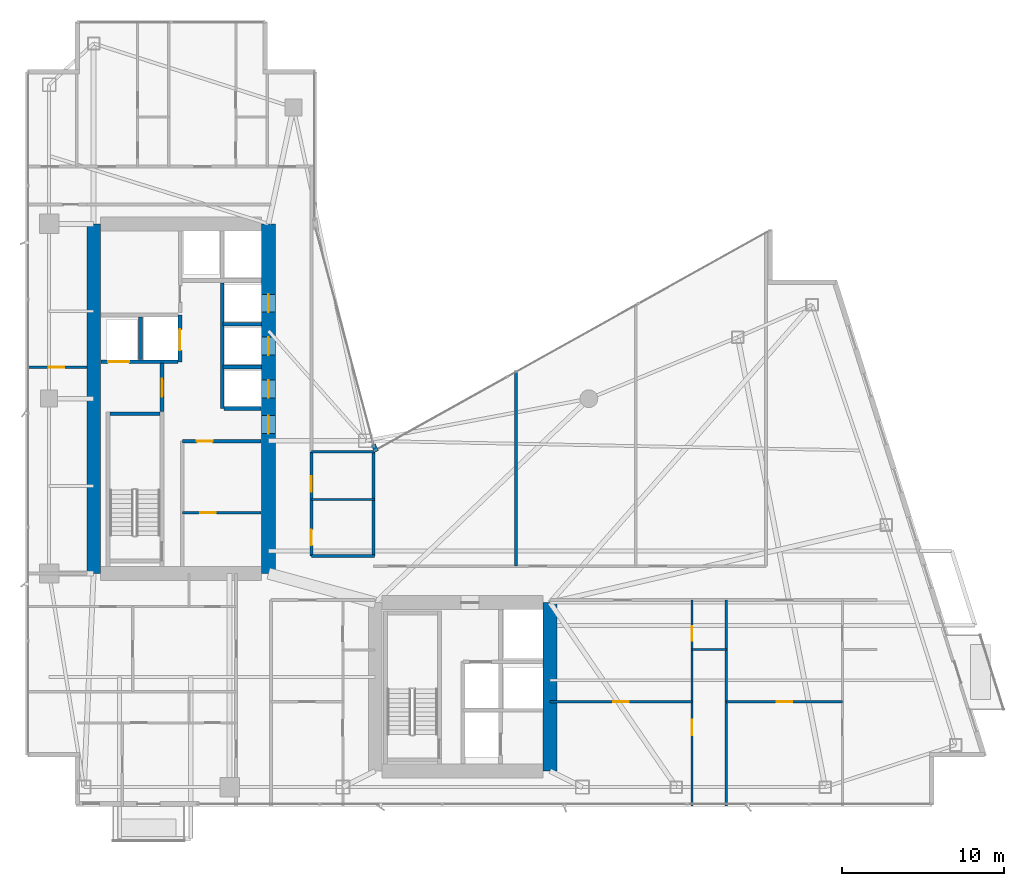
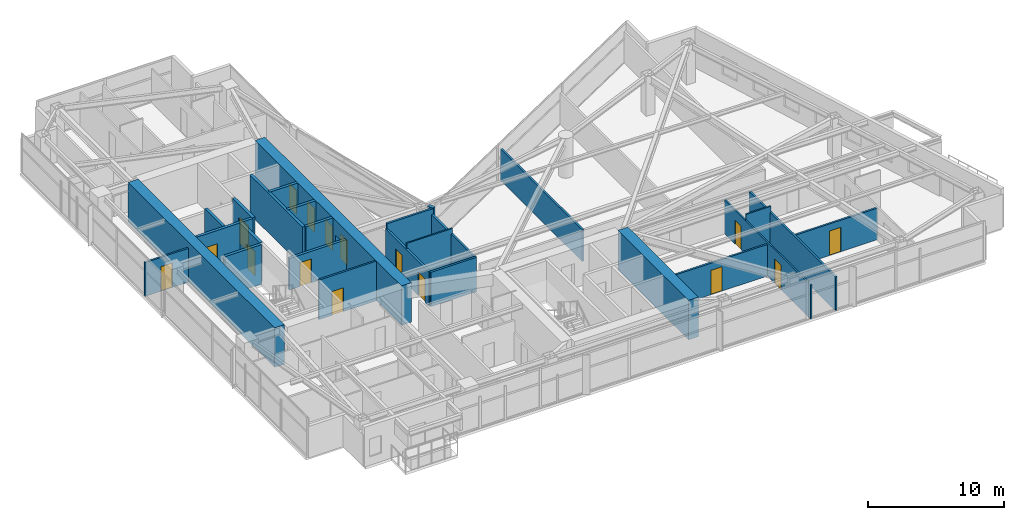
# One storey, part 23 of 28: 27 walls, 16 doors, 16 openings.
"""IFC4 building model written with IfcOpenShell, lengths in metres."""

import ifcopenshell
import ifcopenshell.guid

model = None  # the IFC model being written
_history = None  # IfcOwnerHistory: only IFC2X3 demands one
_inside = {}  # id of a spatial element -> (the spatial element, [elements in it])
_under = {}  # id of a project, library or spatial element -> (it, [spatial elements below it])
_declared = {}  # id of a project -> (the project, [libraries it declares])
_typed = {}  # id of a type object -> (the type object, [elements of that type])
_made_of = {}  # id of a material, layer set ... -> (it, [elements and type objects made of it])


def new_model(schema):
    """Start an empty IFC model of exactly this schema.

    Asked for "IFC4X3", IfcOpenShell would pick the latest addendum, in which some entities
    have other attributes; the version numbers below select the first issue.
    IFC2X3 requires an IfcOwnerHistory on every rooted entity: one is made here for all.
    """
    global model, _history
    if schema == "IFC4X3":
        model = ifcopenshell.file(schema_version=(4, 3, 0, 0))
    else:
        model = ifcopenshell.file(schema=schema)
    _inside.clear()
    _under.clear()
    _declared.clear()
    _typed.clear()
    _made_of.clear()
    _history = None
    if model.schema == "IFC2X3":
        org = make("IfcOrganization", Name="unknown")
        user = make(
            "IfcPersonAndOrganization",
            ThePerson=make("IfcPerson", FamilyName="unknown"),
            TheOrganization=org,
        )
        app = make(
            "IfcApplication",
            ApplicationDeveloper=org,
            Version="unknown",
            ApplicationFullName="unknown",
            ApplicationIdentifier="unknown",
        )
        _history = make(
            "IfcOwnerHistory",
            OwningUser=user,
            OwningApplication=app,
            ChangeAction="ADDED",
            CreationDate=0,
        )
    return model


def make(cls, **values):
    """One entity of the class cls with the attributes given. An attribute that is None is left unset."""
    return model.create_entity(
        cls, **{name: value for name, value in values.items() if value is not None}
    )


def rooted(cls, **values):
    """An entity with a GlobalId (a new one), such as an element, a storey or a relation."""
    return make(cls, GlobalId=ifcopenshell.guid.new(), OwnerHistory=_history, **values)


def si_unit(unit_type, name, prefix=None):
    """IfcSIUnit, for example si_unit("LENGTHUNIT", "METRE", prefix="MILLI")."""
    return make("IfcSIUnit", UnitType=unit_type, Prefix=prefix, Name=name)


def assignment(units):
    """IfcUnitAssignment: the units of a project."""
    return None if units is None else make("IfcUnitAssignment", Units=units)


def point(xyz):
    """IfcCartesianPoint."""
    return None if xyz is None else make("IfcCartesianPoint", Coordinates=xyz)


def direction(xyz):
    """IfcDirection."""
    return None if xyz is None else make("IfcDirection", DirectionRatios=xyz)


def frame(location, z_axis=None, x_axis=None):
    """IfcAxis2Placement3D, a coordinate frame: its origin and axes. An axis left out is left unset."""
    return make(
        "IfcAxis2Placement3D",
        Location=point(location),
        Axis=direction(z_axis),
        RefDirection=direction(x_axis),
    )


def frame_2d(location, x_axis=None):
    """IfcAxis2Placement2D, a coordinate frame in the plane: its origin and x axis."""
    return make(
        "IfcAxis2Placement2D", Location=point(location), RefDirection=direction(x_axis)
    )


def origin():
    """The frame at (0, 0, 0) with its axes left unset."""
    return frame((0.0, 0.0, 0.0))


def place(relative_to, where):
    """IfcLocalPlacement: puts the frame where relative to a parent placement (None: the world)."""
    return make(
        "IfcLocalPlacement", PlacementRelTo=relative_to, RelativePlacement=where
    )


def context(
    kind, dimensions, precision=None, world=None, true_north=None, identifier=None
):
    """IfcGeometricRepresentationContext, for example the 3D "Model" context."""
    return make(
        "IfcGeometricRepresentationContext",
        ContextIdentifier=identifier,
        ContextType=kind,
        CoordinateSpaceDimension=dimensions,
        Precision=precision,
        WorldCoordinateSystem=world,
        TrueNorth=true_north,
    )


def subcontext(parent, identifier, kind, view, scale=None):
    """IfcGeometricRepresentationSubContext, for example "Body" below "Model"."""
    return make(
        "IfcGeometricRepresentationSubContext",
        ContextIdentifier=identifier,
        ContextType=kind,
        ParentContext=parent,
        TargetScale=scale,
        TargetView=view,
    )


def project(units=None, contexts=None):
    """IfcProject with its units and contexts."""
    return rooted(
        "IfcProject",
        Name="project",
        RepresentationContexts=contexts,
        UnitsInContext=assignment(units),
    )


def spatial(cls, under=None, at=None, **own):
    """A site, building, storey or space (cls), placed at a placement, below another one or the project."""
    s = rooted(cls, ObjectPlacement=at, **own)
    if under is not None:
        _under.setdefault(under.id(), (under, []))[1].append(s)
    return s


def profile(cls, at=None, kind="AREA", **sizes):
    """A parametric profile (cls). Its sizes go by their IFC names, for example OverallWidth=200.0."""
    return make(cls, ProfileType=kind, Position=at, **sizes)


def rectangle(**sizes):
    """IfcRectangleProfileDef."""
    return profile("IfcRectangleProfileDef", **sizes)


def extrude(swept, where, along, depth):
    """IfcExtrudedAreaSolid: the profile swept, set in the frame where, extruded along a direction by depth."""
    return make(
        "IfcExtrudedAreaSolid",
        SweptArea=swept,
        Position=where,
        ExtrudedDirection=direction(along),
        Depth=depth,
    )


def shape(context_of_items, identifier, shape_type, items):
    """IfcShapeRepresentation: the items that make up one representation, for example the "Body"."""
    return make(
        "IfcShapeRepresentation",
        ContextOfItems=context_of_items,
        RepresentationIdentifier=identifier,
        RepresentationType=shape_type,
        Items=items,
    )


def material(Name=None, Category=None):
    """IfcMaterial."""
    return make("IfcMaterial", Name=Name, Category=Category)


def layer(
    of_material, thickness, ventilated=None, Name=None, Category=None, Priority=None
):
    """IfcMaterialLayer: one layer of a wall or slab, of a material (None: an air gap)."""
    return make(
        "IfcMaterialLayer",
        Material=of_material,
        LayerThickness=thickness,
        IsVentilated=ventilated,
        Name=Name,
        Category=Category,
        Priority=Priority,
    )


def layer_set(layers, Name=None):
    """IfcMaterialLayerSet."""
    return make("IfcMaterialLayerSet", MaterialLayers=layers, LayerSetName=Name)


def made_of(thing, what):
    """Note that an element or type object is made of a material, layer set ...; save() writes the relation."""
    if what is not None:
        _made_of.setdefault(what.id(), (what, []))[1].append(thing)
    return thing


def type_object(cls, material=None, **own):
    """A type object (cls), such as IfcWallType, which elements share."""
    return made_of(rooted(cls, **own), material)


def element(
    cls,
    number,
    at=None,
    inside=None,
    cuts=None,
    type_object=None,
    material=None,
    context=None,
    identifier="Body",
    shape_type=None,
    held_by="IfcProductDefinitionShape",
    body=None,
    shapes=None,
    **own,
):
    """One element of the class cls, such as IfcWall. Its Tag is "e" and its number.

    at: its placement. inside: the storey or other place that contains it. cuts: it is an
    opening in that element (IfcRelVoidsElement). A single representation is given by context,
    identifier, shape_type and body (its items); several are given by shapes. held_by: the class
    of the entity that holds the representations. save() writes the other relations.
    """
    e = rooted(cls, Tag="e%d" % number, ObjectPlacement=at, **own)
    if body is not None:
        shapes = [shape(context, identifier, shape_type, body)]
    if shapes is not None:
        e.Representation = make(held_by, Representations=shapes)
    if inside is not None:
        _inside.setdefault(inside.id(), (inside, []))[1].append(e)
    if cuts is not None:
        rooted(
            "IfcRelVoidsElement", RelatingBuildingElement=cuts, RelatedOpeningElement=e
        )
    if type_object is not None:
        _typed.setdefault(type_object.id(), (type_object, []))[1].append(e)
    return made_of(e, material)


def fill(opening, filler):
    """IfcRelFillsElement: the door or window that sits in an opening."""
    return rooted(
        "IfcRelFillsElement",
        RelatingOpeningElement=opening,
        RelatedBuildingElement=filler,
    )


def aggregate(whole, parts):
    """IfcRelAggregates: a whole, such as a stair, and the parts it consists of."""
    return rooted("IfcRelAggregates", RelatingObject=whole, RelatedObjects=parts)


def save(model, path):
    """Write the relations noted so far, then the file.

    IfcRelAggregates (storeys below a building ...), IfcRelContainedInSpatialStructure (elements
    in a storey), IfcRelDefinesByType, IfcRelAssociatesMaterial and IfcRelDeclares: one each for
    every whole, place, type object, material and project.
    """
    for whole, parts in _under.values():
        aggregate(whole, parts)
    for where, things in _inside.values():
        rooted(
            "IfcRelContainedInSpatialStructure",
            RelatedElements=things,
            RelatingStructure=where,
        )
    for kind, things in _typed.values():
        rooted("IfcRelDefinesByType", RelatedObjects=things, RelatingType=kind)
    for what, things in _made_of.values():
        rooted("IfcRelAssociatesMaterial", RelatedObjects=things, RelatingMaterial=what)
    for by, libraries in _declared.values():
        rooted("IfcRelDeclares", RelatingContext=by, RelatedDefinitions=libraries)
    model.write(path)


model = new_model("IFC4")

# Units and contexts
model_context = context("Model", 3, precision=1e-05, world=origin(), true_north=direction((0.0, 1.0)))
body_context = subcontext(model_context, "Body", "Model", "MODEL_VIEW")
ifc_project = project(units=[si_unit("LENGTHUNIT", "METRE"), si_unit("AREAUNIT", "SQUARE_METRE"), si_unit("VOLUMEUNIT", "CUBIC_METRE"), si_unit("PLANEANGLEUNIT", "RADIAN"), si_unit("MASSUNIT", "GRAM", prefix="KILO")], contexts=[model_context])

# Site, building, storey
site_placement = place(None, origin())
site = spatial("IfcSite", under=ifc_project, at=site_placement, CompositionType="ELEMENT")
building_placement = place(site_placement, origin())
building = spatial("IfcBuilding", under=site, at=building_placement, Name="Calvorn Quay Hotel", CompositionType="ELEMENT")
storey_placement = place(building_placement, frame((0.0, 0.0, 101.199951171875)))
storey = spatial("IfcBuildingStorey", under=building, at=storey_placement, Name="L24", CompositionType="ELEMENT", Elevation=101.199951171875)

# Wall
ifc_material_1 = material(Name="Concrete C50", Category="concrete")
ifc_layer_1 = layer(ifc_material_1, 0.85009765625)
ifc_layer_set_1 = layer_set([ifc_layer_1], Name="WL-CORE-850")
wall_type_1 = type_object("IfcWallType", Name="WL-CORE-850", PredefinedType="SHEAR", material=ifc_layer_set_1)
wall_1_placement = place(storey_placement, frame((4.199951171875, 16.800048828125, 0.0), z_axis=(0.0, 0.0, 1.0), x_axis=(0.0, 1.0, 0.0)))
element("IfcWall", 1, at=wall_1_placement, inside=storey, type_object=wall_type_1, Name="West Core Shear Wall W (L24)", PredefinedType="SHEAR", context=body_context, shape_type="SweptSolid", body=[
    extrude(rectangle(XDim=21.599853515625, YDim=0.85009765625, at=frame_2d((10.7998046875, 0.0))), origin(), (0.0, 0.0, 1.0), 3.56005859375),
])

# Wall, openings, doors
wall_2_placement = place(storey_placement, frame((15.0, 16.800048828125, 0.0), z_axis=(0.0, 0.0, 1.0), x_axis=(0.0, 1.0, 0.0)))
wall_2 = element("IfcWall", 2, at=wall_2_placement, inside=storey, type_object=wall_type_1, Name="West Core Shear Wall E (L24)", PredefinedType="SHEAR", context=body_context, shape_type="SweptSolid", body=[
    extrude(rectangle(XDim=21.599853515625, YDim=0.85009765625, at=frame_2d((10.7998046875, 0.0))), origin(), (0.0, 0.0, 1.0), 3.56005859375),
])
opening_1_placement = place(wall_2_placement, frame((8.64990234375, 0.0, 0.0)))
opening_1 = element("IfcOpeningElement", 3, at=opening_1_placement, cuts=wall_2, Name="Opening D-L24-CW1", PredefinedType="OPENING", context=body_context, shape_type="SweptSolid", body=[
    extrude(rectangle(XDim=1.10009765625, YDim=2.199951171875, at=frame_2d((0.550048828125, 1.10009765625))), frame((0.0, 0.43505859375, 0.0), z_axis=(0.0, -1.0, 0.0), x_axis=(1.0, 0.0, 0.0)), (0.0, 0.0, 1.0), 0.8701171875),
])
opening_2_placement = place(wall_2_placement, frame((10.85009765625, 0.0, 0.0)))
opening_2 = element("IfcOpeningElement", 4, at=opening_2_placement, cuts=wall_2, Name="Opening LD-L24-M1", PredefinedType="OPENING", context=body_context, shape_type="SweptSolid", body=[
    extrude(rectangle(XDim=1.10009765625, YDim=2.199951171875, at=frame_2d((0.550048828125, 1.10009765625))), frame((0.0, 0.43505859375, 0.0), z_axis=(0.0, -1.0, 0.0), x_axis=(1.0, 0.0, 0.0)), (0.0, 0.0, 1.0), 0.8701171875),
])
opening_3_placement = place(wall_2_placement, frame((13.5, 0.0, 0.0)))
opening_3 = element("IfcOpeningElement", 5, at=opening_3_placement, cuts=wall_2, Name="Opening LD-L24-M2", PredefinedType="OPENING", context=body_context, shape_type="SweptSolid", body=[
    extrude(rectangle(XDim=1.10009765625, YDim=2.199951171875, at=frame_2d((0.550048828125, 1.10009765625))), frame((0.0, 0.43505859375, 0.0), z_axis=(0.0, -1.0, 0.0), x_axis=(1.0, 0.0, 0.0)), (0.0, 0.0, 1.0), 0.8701171875),
])
opening_4_placement = place(wall_2_placement, frame((16.14990234375, 0.0, 0.0)))
opening_4 = element("IfcOpeningElement", 6, at=opening_4_placement, cuts=wall_2, Name="Opening LD-L24-M3", PredefinedType="OPENING", context=body_context, shape_type="SweptSolid", body=[
    extrude(rectangle(XDim=1.10009765625, YDim=2.199951171875, at=frame_2d((0.550048828125, 1.10009765625))), frame((0.0, 0.43505859375, 0.0), z_axis=(0.0, -1.0, 0.0), x_axis=(1.0, 0.0, 0.0)), (0.0, 0.0, 1.0), 0.8701171875),
])
ifc_material_2 = material(Name="Smoke-Sealed Steel Class A Fire Door", Category="steel")
door_type_1 = type_object("IfcDoorType", Name="DR-FFLOBBY-1100", OperationType="NOTDEFINED", PredefinedType="DOOR", material=ifc_material_2)
door_1_placement = place(opening_1_placement, origin())
door_1 = element("IfcDoor", 7, at=door_1_placement, inside=storey, type_object=door_type_1, Name="West Core Vestibule Fire Door (L24)", OperationType="SINGLE_SWING_LEFT", OverallHeight=2.199951171875, OverallWidth=1.10009765625, PredefinedType="DOOR", context=body_context, shape_type="SweptSolid", body=[
    extrude(rectangle(XDim=1.10009765625, YDim=2.199951171875, at=frame_2d((0.550048828125, 1.10009765625))), frame((0.0, 0.02490234375, 0.0), z_axis=(0.0, -1.0, 0.0), x_axis=(1.0, 0.0, 0.0)), (0.0, 0.0, 1.0), 0.050048828125),
])
fill(opening_1, door_1)
ifc_material_3 = material(Name="Brushed Stainless Steel Sliding Lift Landing Door", Category="steel")
door_type_2 = type_object("IfcDoorType", Name="DR-LIFT-PASS-1100", OperationType="NOTDEFINED", PredefinedType="DOOR", material=ifc_material_3)
door_2_placement = place(opening_2_placement, origin())
door_2 = element("IfcDoor", 8, at=door_2_placement, inside=storey, type_object=door_type_2, Name="Mid-Rise Lift PL-M1 Landing Door (L24)", OperationType="DOUBLE_DOOR_SLIDING", OverallHeight=2.199951171875, OverallWidth=1.10009765625, PredefinedType="DOOR", context=body_context, shape_type="SweptSolid", body=[
    extrude(rectangle(XDim=1.10009765625, YDim=2.199951171875, at=frame_2d((0.550048828125, 1.10009765625))), frame((0.0, 0.02490234375, 0.0), z_axis=(0.0, -1.0, 0.0), x_axis=(1.0, 0.0, 0.0)), (0.0, 0.0, 1.0), 0.050048828125),
])
fill(opening_2, door_2)
door_3_placement = place(opening_3_placement, origin())
door_3 = element("IfcDoor", 9, at=door_3_placement, inside=storey, type_object=door_type_2, Name="Mid-Rise Lift PL-M2 Landing Door (L24)", OperationType="DOUBLE_DOOR_SLIDING", OverallHeight=2.199951171875, OverallWidth=1.10009765625, PredefinedType="DOOR", context=body_context, shape_type="SweptSolid", body=[
    extrude(rectangle(XDim=1.10009765625, YDim=2.199951171875, at=frame_2d((0.550048828125, 1.10009765625))), frame((0.0, 0.02490234375, 0.0), z_axis=(0.0, -1.0, 0.0), x_axis=(1.0, 0.0, 0.0)), (0.0, 0.0, 1.0), 0.050048828125),
])
fill(opening_3, door_3)
door_4_placement = place(opening_4_placement, origin())
door_4 = element("IfcDoor", 10, at=door_4_placement, inside=storey, type_object=door_type_2, Name="Mid-Rise Lift PL-M3 Landing Door (L24)", OperationType="DOUBLE_DOOR_SLIDING", OverallHeight=2.199951171875, OverallWidth=1.10009765625, PredefinedType="DOOR", context=body_context, shape_type="SweptSolid", body=[
    extrude(rectangle(XDim=1.10009765625, YDim=2.199951171875, at=frame_2d((0.550048828125, 1.10009765625))), frame((0.0, 0.02490234375, 0.0), z_axis=(0.0, -1.0, 0.0), x_axis=(1.0, 0.0, 0.0)), (0.0, 0.0, 1.0), 0.050048828125),
])
fill(opening_4, door_4)

# Walls
wall_3_placement = place(storey_placement, frame((32.39990234375, 4.60009765625, 0.0), z_axis=(0.0, 0.0, 1.0), x_axis=(0.0, 1.0, 0.0)))
element("IfcWall", 11, at=wall_3_placement, inside=storey, type_object=wall_type_1, Name="East Core Shear Wall E (L24)", PredefinedType="SHEAR", context=body_context, shape_type="SweptSolid", body=[
    extrude(rectangle(XDim=10.39990234375, YDim=0.85009765625, at=frame_2d((5.199951171875, 0.0))), origin(), (0.0, 0.0, 1.0), 3.56005859375),
])
ifc_material_4 = material(Name="Acoustic Fireboard Steel-Stud Partition", Category="steel")
ifc_layer_2 = layer(ifc_material_4, 0.179931640625)
ifc_layer_set_2 = layer_set([ifc_layer_2], Name="WL-CORR-FIRE-180")
wall_type_2 = type_object("IfcWallType", Name="WL-CORR-FIRE-180", PredefinedType="PARTITIONING", material=ifc_layer_set_2)
wall_4_placement = place(storey_placement, frame((17.64990234375, 17.8798828125, 0.0), z_axis=(0.0, 0.0, 1.0), x_axis=(1.0, 0.0, 0.0)))
element("IfcWall", 12, at=wall_4_placement, inside=storey, type_object=wall_type_2, Name="Partition Wall L24-WL-HK-S", PredefinedType="PARTITIONING", context=body_context, shape_type="SweptSolid", body=[
    extrude(rectangle(XDim=3.900146484375, YDim=0.179931640625, at=frame_2d((1.9501953125, 0.0))), origin(), (0.0, 0.0, 1.0), 3.090087890625),
])
wall_5_placement = place(storey_placement, frame((17.64990234375, 24.320068359375, 0.0), z_axis=(0.0, 0.0, 1.0), x_axis=(1.0, 0.0, 0.0)))
element("IfcWall", 13, at=wall_5_placement, inside=storey, type_object=wall_type_2, Name="Partition Wall L24-WL-HK-N", PredefinedType="PARTITIONING", context=body_context, shape_type="SweptSolid", body=[
    extrude(rectangle(XDim=3.9501953125, YDim=0.179931640625, at=frame_2d((1.97509765625, 0.0))), origin(), (0.0, 0.0, 1.0), 3.56005859375),
])
wall_6_placement = place(storey_placement, frame((21.5, 17.8798828125, 0.0), z_axis=(0.0, 0.0, 1.0), x_axis=(0.0, 1.0, 0.0)))
element("IfcWall", 14, at=wall_6_placement, inside=storey, type_object=wall_type_2, Name="Partition Wall L24-WL-HK-E", PredefinedType="PARTITIONING", context=body_context, shape_type="SweptSolid", body=[
    extrude(rectangle(XDim=6.440185546875, YDim=0.179931640625, at=frame_2d((3.22021484375, 0.0))), origin(), (0.0, 0.0, 1.0), 3.090087890625),
])

# Wall, openings, doors
wall_7_placement = place(storey_placement, frame((17.64990234375, 17.8798828125, 0.0), z_axis=(0.0, 0.0, 1.0), x_axis=(0.0, 1.0, 0.0)))
wall_7 = element("IfcWall", 15, at=wall_7_placement, inside=storey, type_object=wall_type_2, Name="Partition Wall L24-WL-HK-W", PredefinedType="PARTITIONING", context=body_context, shape_type="SweptSolid", body=[
    extrude(rectangle(XDim=6.440185546875, YDim=0.179931640625, at=frame_2d((3.22021484375, 0.0))), origin(), (0.0, 0.0, 1.0), 3.090087890625),
])
opening_5_placement = place(wall_7_placement, frame((0.64990234375, 0.0, 0.0)))
opening_5 = element("IfcOpeningElement", 16, at=opening_5_placement, cuts=wall_7, Name="Opening D-L24-HK", PredefinedType="OPENING", context=body_context, shape_type="SweptSolid", body=[
    extrude(rectangle(XDim=0.97998046875, YDim=2.14990234375, at=frame_2d((0.489990234375, 1.074951171875))), frame((0.0, 0.099853515625, 0.0), z_axis=(0.0, -1.0, 0.0), x_axis=(1.0, 0.0, 0.0)), (0.0, 0.0, 1.0), 0.199951171875),
])
opening_6_placement = place(wall_7_placement, frame((3.969970703125, 0.0, 0.0)))
opening_6 = element("IfcOpeningElement", 17, at=opening_6_placement, cuts=wall_7, Name="Opening D-L24-NCP", PredefinedType="OPENING", context=body_context, shape_type="SweptSolid", body=[
    extrude(rectangle(XDim=0.9599609375, YDim=2.199951171875, at=frame_2d((0.47998046875, 1.10009765625))), frame((0.0, 0.099853515625, 0.0), z_axis=(0.0, -1.0, 0.0), x_axis=(1.0, 0.0, 0.0)), (0.0, 0.0, 1.0), 0.199951171875),
])
ifc_material_5 = material(Name="Painted Steel Housekeeping/Riser Fire Door", Category="steel")
door_type_3 = type_object("IfcDoorType", Name="DR-SERVICE-980", OperationType="NOTDEFINED", PredefinedType="DOOR", material=ifc_material_5)
door_5_placement = place(opening_5_placement, origin())
door_5 = element("IfcDoor", 18, at=door_5_placement, inside=storey, type_object=door_type_3, Name="Floor Housekeeping Door (L24)", OperationType="SINGLE_SWING_LEFT", OverallHeight=2.14990234375, OverallWidth=0.97998046875, PredefinedType="DOOR", context=body_context, shape_type="SweptSolid", body=[
    extrude(rectangle(XDim=0.97998046875, YDim=2.14990234375, at=frame_2d((0.489990234375, 1.074951171875))), frame((0.0, 0.02490234375, 0.0), z_axis=(0.0, -1.0, 0.0), x_axis=(1.0, 0.0, 0.0)), (0.0, 0.0, 1.0), 0.050048828125),
])
fill(opening_5, door_5)
ifc_material_6 = material(Name="Solid Timber Internal Suite Door", Category="wood")
door_type_4 = type_object("IfcDoorType", Name="DR-SUITE-INT-960", OperationType="NOTDEFINED", PredefinedType="DOOR", material=ifc_material_6)
door_6_placement = place(opening_6_placement, origin())
door_6 = element("IfcDoor", 19, at=door_6_placement, inside=storey, type_object=door_type_4, Name="Reading Alcove Door (L24)", OperationType="SINGLE_SWING_RIGHT", OverallHeight=2.199951171875, OverallWidth=0.9599609375, PredefinedType="DOOR", context=body_context, shape_type="SweptSolid", body=[
    extrude(rectangle(XDim=0.9599609375, YDim=2.199951171875, at=frame_2d((0.47998046875, 1.10009765625))), frame((0.0, 0.02490234375, 0.0), z_axis=(0.0, -1.0, 0.0), x_axis=(1.0, 0.0, 0.0)), (0.0, 0.0, 1.0), 0.050048828125),
])
fill(opening_6, door_6)

# Walls
ifc_material_7 = material(Name="Moisture-Resistant Tile-Backed Partition")
ifc_layer_3 = layer(ifc_material_7, 0.125)
ifc_layer_set_3 = layer_set([ifc_layer_3], Name="WL-ENSUITE-125")
wall_type_3 = type_object("IfcWallType", Name="WL-ENSUITE-125", PredefinedType="PARTITIONING", material=ifc_layer_set_3)
wall_8_placement = place(storey_placement, frame((17.64990234375, 21.3798828125, 0.0), z_axis=(0.0, 0.0, 1.0), x_axis=(1.0, 0.0, 0.0)))
element("IfcWall", 20, at=wall_8_placement, inside=storey, type_object=wall_type_3, Name="Partition Wall L24-WL-HK-M", PredefinedType="PARTITIONING", context=body_context, shape_type="SweptSolid", body=[
    extrude(rectangle(XDim=3.900146484375, YDim=0.125, at=frame_2d((1.9501953125, 0.0))), origin(), (0.0, 0.0, 1.0), 3.56005859375),
])
wall_9_placement = place(storey_placement, frame((41.169921875, 12.10009765625, 0.0), z_axis=(0.0, 0.0, 1.0), x_axis=(1.0, 0.0, 0.0)))
element("IfcWall", 21, at=wall_9_placement, inside=storey, type_object=wall_type_3, Name="Partition Wall L24-WL-U06-BDV", PredefinedType="PARTITIONING", context=body_context, shape_type="SweptSolid", body=[
    extrude(rectangle(XDim=2.130126953125, YDim=0.125, at=frame_2d((1.06494140625, 0.0))), origin(), (0.0, 0.0, 1.0), 3.56005859375),
])

# Wall, openings, doors
wall_10_placement = place(storey_placement, frame((41.169921875, 2.43994140625, 0.0), z_axis=(0.0, 0.0, 1.0), x_axis=(0.0, 1.0, 0.0)))
wall_10 = element("IfcWall", 22, at=wall_10_placement, inside=storey, type_object=wall_type_3, Name="Partition Wall L24-WL-U06-BV", PredefinedType="PARTITIONING", context=body_context, shape_type="SweptSolid", body=[
    extrude(rectangle(XDim=12.7099609375, YDim=0.125, at=frame_2d((6.35498046875, 0.0))), origin(), (0.0, 0.0, 1.0), 3.0400390625),
])
opening_7_placement = place(wall_10_placement, frame((4.35009765625, 0.0, 0.0)))
opening_7 = element("IfcOpeningElement", 23, at=opening_7_placement, cuts=wall_10, Name="Opening D-L24-S06", PredefinedType="OPENING", context=body_context, shape_type="SweptSolid", body=[
    extrude(rectangle(XDim=0.9599609375, YDim=2.199951171875, at=frame_2d((0.47998046875, 1.10009765625))), frame((0.0, 0.072509765625, 0.0), z_axis=(0.0, -1.0, 0.0), x_axis=(1.0, 0.0, 0.0)), (0.0, 0.0, 1.0), 0.14501953125),
])
opening_8_placement = place(wall_10_placement, frame((10.2099609375, 0.0, 0.0)))
opening_8 = element("IfcOpeningElement", 24, at=opening_8_placement, cuts=wall_10, Name="Opening D-L24-E06", PredefinedType="OPENING", context=body_context, shape_type="SweptSolid", body=[
    extrude(rectangle(XDim=0.89990234375, YDim=2.14990234375, at=frame_2d((0.449951171875, 1.074951171875))), frame((0.0, 0.072509765625, 0.0), z_axis=(0.0, -1.0, 0.0), x_axis=(1.0, 0.0, 0.0)), (0.0, 0.0, 1.0), 0.14501953125),
])
ifc_material_8 = material(Name="Moisture-Sealed Timber En-Suite Door", Category="wood")
door_type_5 = type_object("IfcDoorType", Name="DR-ENSUITE-900", OperationType="NOTDEFINED", PredefinedType="DOOR", material=ifc_material_8)
door_7_placement = place(opening_8_placement, origin())
door_7 = element("IfcDoor", 25, at=door_7_placement, inside=storey, type_object=door_type_5, Name="En-Suite Door 06", OperationType="SINGLE_SWING_RIGHT", OverallHeight=2.14990234375, OverallWidth=0.89990234375, PredefinedType="DOOR", context=body_context, shape_type="SweptSolid", body=[
    extrude(rectangle(XDim=0.89990234375, YDim=2.14990234375, at=frame_2d((0.449951171875, 1.074951171875))), frame((0.0, 0.02490234375, 0.0), z_axis=(0.0, -1.0, 0.0), x_axis=(1.0, 0.0, 0.0)), (0.0, 0.0, 1.0), 0.050048828125),
])
fill(opening_8, door_7)
door_8_placement = place(opening_7_placement, origin())
door_8 = element("IfcDoor", 26, at=door_8_placement, inside=storey, type_object=door_type_4, Name="Children Play Nursery Door 06", OperationType="SINGLE_SWING_LEFT", OverallHeight=2.199951171875, OverallWidth=0.9599609375, PredefinedType="DOOR", context=body_context, shape_type="SweptSolid", body=[
    extrude(rectangle(XDim=0.9599609375, YDim=2.199951171875, at=frame_2d((0.47998046875, 1.10009765625))), frame((0.0, 0.02490234375, 0.0), z_axis=(0.0, -1.0, 0.0), x_axis=(1.0, 0.0, 0.0)), (0.0, 0.0, 1.0), 0.050048828125),
])
fill(opening_7, door_8)

# Wall
ifc_material_9 = material(Name="Concrete C40", Category="concrete")
ifc_layer_4 = layer(ifc_material_9, 0.320068359375)
ifc_layer_set_4 = layer_set([ifc_layer_4], Name="WL-EXT-SPANDREL-320")
wall_type_4 = type_object("IfcWallType", Name="WL-EXT-SPANDREL-320", PredefinedType="SOLIDWALL", material=ifc_layer_set_4)
wall_11_placement = place(storey_placement, frame((21.679931640625, 24.340087890625, 0.0), z_axis=(0.0, 0.0, 1.0), x_axis=(-0.40758134973, 0.913168901875, 0.0)))
element("IfcWall", 27, at=wall_11_placement, inside=storey, type_object=wall_type_4, Name="Inner Court Corner Pier L24-ICJ1", PredefinedType="SOLIDWALL", context=body_context, shape_type="SweptSolid", body=[
    extrude(rectangle(XDim=0.470703125, YDim=0.280029296875, at=frame_2d((0.2353515625, 0.0))), origin(), (0.0, 0.0, 1.0), 3.56005859375),
])

# Wall, opening, door
ifc_material_10 = material(Name="Double-Stud Acoustic Gypsum Partition")
ifc_layer_5 = layer(ifc_material_10, 0.159912109375)
ifc_layer_set_5 = layer_set([ifc_layer_5], Name="WL-INTERSUITE-160")
wall_type_5 = type_object("IfcWallType", Name="WL-INTERSUITE-160", PredefinedType="PARTITIONING", material=ifc_layer_set_5)
wall_12_placement = place(storey_placement, frame((9.679931640625, 20.550048828125, 0.0), z_axis=(0.0, 0.0, 1.0), x_axis=(1.0, 0.0, 0.0)))
wall_12 = element("IfcWall", 28, at=wall_12_placement, inside=storey, type_object=wall_type_5, Name="Partition Wall L24-WL-CWW-FR-SPLIT", PredefinedType="PARTITIONING", context=body_context, shape_type="SweptSolid", body=[
    extrude(rectangle(XDim=4.875, YDim=0.159912109375, at=frame_2d((2.4375, 0.0))), origin(), (0.0, 0.0, 1.0), 3.56005859375),
])
opening_9_placement = place(wall_12_placement, frame((1.10009765625, 0.0, 0.0)))
opening_9 = element("IfcOpeningElement", 29, at=opening_9_placement, cuts=wall_12, Name="Opening D-L24-FRL1", PredefinedType="OPENING", context=body_context, shape_type="SweptSolid", body=[
    extrude(rectangle(XDim=0.97998046875, YDim=2.14990234375, at=frame_2d((0.489990234375, 1.074951171875))), frame((0.0, 0.08984375, 0.0), z_axis=(0.0, -1.0, 0.0), x_axis=(1.0, 0.0, 0.0)), (0.0, 0.0, 1.0), 0.179931640625),
])
door_9_placement = place(opening_9_placement, origin())
door_9 = element("IfcDoor", 30, at=door_9_placement, inside=storey, type_object=door_type_3, Name="Linen Store Room Door (L24)", OperationType="SINGLE_SWING_LEFT", OverallHeight=2.14990234375, OverallWidth=0.97998046875, PredefinedType="DOOR", context=body_context, shape_type="SweptSolid", body=[
    extrude(rectangle(XDim=0.97998046875, YDim=2.14990234375, at=frame_2d((0.489990234375, 1.074951171875))), frame((0.0, 0.02490234375, 0.0), z_axis=(0.0, -1.0, 0.0), x_axis=(1.0, 0.0, 0.0)), (0.0, 0.0, 1.0), 0.050048828125),
])
fill(opening_9, door_9)

wall_13_placement = place(storey_placement, frame((0.080078125, 29.550048828125, 0.0), z_axis=(0.0, 0.0, 1.0), x_axis=(1.0, 0.0, 0.0)))
wall_13 = element("IfcWall", 31, at=wall_13_placement, inside=storey, type_object=wall_type_5, Name="Partition Wall L24-WL-WBAY-DIV", PredefinedType="PARTITIONING", context=body_context, shape_type="SweptSolid", body=[
    extrude(rectangle(XDim=3.724853515625, YDim=0.159912109375, at=frame_2d((1.8623046875, 0.0))), origin(), (0.0, 0.0, 1.0), 3.0400390625),
])
opening_10_placement = place(wall_13_placement, frame((1.35009765625, 0.0, 0.0)))
opening_10 = element("IfcOpeningElement", 32, at=opening_10_placement, cuts=wall_13, Name="Opening D-L24-WBD", PredefinedType="OPENING", context=body_context, shape_type="SweptSolid", body=[
    extrude(rectangle(XDim=0.9599609375, YDim=2.199951171875, at=frame_2d((0.47998046875, 1.10009765625))), frame((0.0, 0.08984375, 0.0), z_axis=(0.0, -1.0, 0.0), x_axis=(1.0, 0.0, 0.0)), (0.0, 0.0, 1.0), 0.179931640625),
])
door_10_placement = place(opening_10_placement, origin())
door_10 = element("IfcDoor", 33, at=door_10_placement, inside=storey, type_object=door_type_4, Name="West Bay Connecting Door (L24)", OperationType="SINGLE_SWING_LEFT", OverallHeight=2.199951171875, OverallWidth=0.9599609375, PredefinedType="DOOR", context=body_context, shape_type="SweptSolid", body=[
    extrude(rectangle(XDim=0.9599609375, YDim=2.199951171875, at=frame_2d((0.47998046875, 1.10009765625))), frame((0.0, 0.02490234375, 0.0), z_axis=(0.0, -1.0, 0.0), x_axis=(1.0, 0.0, 0.0)), (0.0, 0.0, 1.0), 0.050048828125),
])
fill(opening_10, door_10)

wall_14_placement = place(storey_placement, frame((32.39990234375, 8.8798828125, 0.0), z_axis=(0.0, 0.0, 1.0), x_axis=(1.0, 0.0, 0.0)))
wall_14 = element("IfcWall", 34, at=wall_14_placement, inside=storey, type_object=wall_type_5, Name="Partition Wall L24-WL-U06-MSP", PredefinedType="PARTITIONING", context=body_context, shape_type="SweptSolid", body=[
    extrude(rectangle(XDim=8.77001953125, YDim=0.159912109375, at=frame_2d((4.385009765625, 0.0))), origin(), (0.0, 0.0, 1.0), 2.840087890625),
])
opening_11_placement = place(wall_14_placement, frame((3.909912109375, 0.0, 0.0)))
opening_11 = element("IfcOpeningElement", 35, at=opening_11_placement, cuts=wall_14, Name="Opening D-L24-M06", PredefinedType="OPENING", context=body_context, shape_type="SweptSolid", body=[
    extrude(rectangle(XDim=0.9599609375, YDim=2.199951171875, at=frame_2d((0.47998046875, 1.10009765625))), frame((0.0, 0.08984375, 0.0), z_axis=(0.0, -1.0, 0.0), x_axis=(1.0, 0.0, 0.0)), (0.0, 0.0, 1.0), 0.179931640625),
])
door_11_placement = place(opening_11_placement, origin())
door_11 = element("IfcDoor", 36, at=door_11_placement, inside=storey, type_object=door_type_4, Name="Suite Bedroom Door 06", OperationType="SINGLE_SWING_LEFT", OverallHeight=2.199951171875, OverallWidth=0.9599609375, PredefinedType="DOOR", context=body_context, shape_type="SweptSolid", body=[
    extrude(rectangle(XDim=0.9599609375, YDim=2.199951171875, at=frame_2d((0.47998046875, 1.10009765625))), frame((0.0, 0.02490234375, 0.0), z_axis=(0.0, -1.0, 0.0), x_axis=(1.0, 0.0, 0.0)), (0.0, 0.0, 1.0), 0.050048828125),
])
fill(opening_11, door_11)

wall_15_placement = place(storey_placement, frame((43.300048828125, 8.8798828125, 0.0), z_axis=(0.0, 0.0, 1.0), x_axis=(1.0, 0.0, 0.0)))
wall_15 = element("IfcWall", 37, at=wall_15_placement, inside=storey, type_object=wall_type_5, Name="Partition Wall L24-WL-U07-MSP", PredefinedType="PARTITIONING", context=body_context, shape_type="SweptSolid", body=[
    extrude(rectangle(XDim=7.169921875, YDim=0.159912109375, at=frame_2d((3.5849609375, 0.0))), origin(), (0.0, 0.0, 1.0), 2.840087890625),
])
opening_12_placement = place(wall_15_placement, frame((3.110107421875, 0.0, 0.0)))
opening_12 = element("IfcOpeningElement", 38, at=opening_12_placement, cuts=wall_15, Name="Opening D-L24-M07", PredefinedType="OPENING", context=body_context, shape_type="SweptSolid", body=[
    extrude(rectangle(XDim=0.9599609375, YDim=2.199951171875, at=frame_2d((0.47998046875, 1.10009765625))), frame((0.0, 0.08984375, 0.0), z_axis=(0.0, -1.0, 0.0), x_axis=(1.0, 0.0, 0.0)), (0.0, 0.0, 1.0), 0.179931640625),
])
door_12_placement = place(opening_12_placement, origin())
door_12 = element("IfcDoor", 39, at=door_12_placement, inside=storey, type_object=door_type_4, Name="Suite Bedroom Door 07", OperationType="SINGLE_SWING_LEFT", OverallHeight=2.199951171875, OverallWidth=0.9599609375, PredefinedType="DOOR", context=body_context, shape_type="SweptSolid", body=[
    extrude(rectangle(XDim=0.9599609375, YDim=2.199951171875, at=frame_2d((0.47998046875, 1.10009765625))), frame((0.0, 0.02490234375, 0.0), z_axis=(0.0, -1.0, 0.0), x_axis=(1.0, 0.0, 0.0)), (0.0, 0.0, 1.0), 0.050048828125),
])
fill(opening_12, door_12)

# Walls
wall_16_placement = place(storey_placement, frame((43.300048828125, 2.43994140625, 0.0), z_axis=(0.0, 0.0, 1.0), x_axis=(0.0, 1.0, 0.0)))
element("IfcWall", 40, at=wall_16_placement, inside=storey, type_object=wall_type_5, Name="Partition Wall L24-WL-SE-DIV-1", PredefinedType="PARTITIONING", context=body_context, shape_type="SweptSolid", body=[
    extrude(rectangle(XDim=12.7099609375, YDim=0.159912109375, at=frame_2d((6.35498046875, 0.0))), origin(), (0.0, 0.0, 1.0), 3.0400390625),
])
wall_17_placement = place(storey_placement, frame((30.300048828125, 17.25, 0.0), z_axis=(0.0, 0.0, 1.0), x_axis=(0.0, 1.0, 0.0)))
element("IfcWall", 41, at=wall_17_placement, inside=storey, type_object=wall_type_5, Name="Partition Wall L24-WL-NE-DIV-1", PredefinedType="PARTITIONING", context=body_context, shape_type="SweptSolid", body=[
    extrude(rectangle(XDim=12.080078125, YDim=0.159912109375, at=frame_2d((6.0400390625, 0.0))), origin(), (0.0, 0.0, 1.0), 2.840087890625),
])

# Wall, opening, door
ifc_material_11 = material(Name="Autoclaved Aerated Masonry Block", Category="masonry")
ifc_layer_6 = layer(ifc_material_11, 0.219970703125)
ifc_layer_set_6 = layer_set([ifc_layer_6], Name="WL-LOBBY-FIRE-220")
wall_type_6 = type_object("IfcWallType", Name="WL-LOBBY-FIRE-220", PredefinedType="SOLIDWALL", material=ifc_layer_set_6)
wall_18_placement = place(storey_placement, frame((9.679931640625, 24.969970703125, 0.0), z_axis=(0.0, 0.0, 1.0), x_axis=(1.0, 0.0, 0.0)))
wall_18 = element("IfcWall", 42, at=wall_18_placement, inside=storey, type_object=wall_type_6, Name="Partition Wall L24-WL-CWW-FR-N", PredefinedType="SOLIDWALL", context=body_context, shape_type="SweptSolid", body=[
    extrude(rectangle(XDim=4.875, YDim=0.219970703125, at=frame_2d((2.4375, 0.0))), origin(), (0.0, 0.0, 1.0), 2.840087890625),
])
opening_13_placement = place(wall_18_placement, frame((0.89990234375, 0.0, 0.0)))
opening_13 = element("IfcOpeningElement", 43, at=opening_13_placement, cuts=wall_18, Name="Opening D-L24-FRL2", PredefinedType="OPENING", context=body_context, shape_type="SweptSolid", body=[
    extrude(rectangle(XDim=0.97998046875, YDim=2.14990234375, at=frame_2d((0.489990234375, 1.074951171875))), frame((0.0, 0.119873046875, 0.0), z_axis=(0.0, -1.0, 0.0), x_axis=(1.0, 0.0, 0.0)), (0.0, 0.0, 1.0), 0.239990234375),
])
door_13_placement = place(opening_13_placement, origin())
door_13 = element("IfcDoor", 44, at=door_13_placement, inside=storey, type_object=door_type_3, Name="Beverage Pantry Door (L24)", OperationType="SINGLE_SWING_RIGHT", OverallHeight=2.14990234375, OverallWidth=0.97998046875, PredefinedType="DOOR", context=body_context, shape_type="SweptSolid", body=[
    extrude(rectangle(XDim=0.97998046875, YDim=2.14990234375, at=frame_2d((0.489990234375, 1.074951171875))), frame((0.0, 0.02490234375, 0.0), z_axis=(0.0, -1.0, 0.0), x_axis=(1.0, 0.0, 0.0)), (0.0, 0.0, 1.0), 0.050048828125),
])
fill(opening_13, door_13)

# Walls
ifc_material_12 = material(Name="Concrete C40", Category="concrete")
ifc_layer_7 = layer(ifc_material_12, 0.239990234375)
ifc_layer_set_7 = layer_set([ifc_layer_7], Name="WL-SHAFT-240")
wall_type_7 = type_object("IfcWallType", Name="WL-SHAFT-240", PredefinedType="SOLIDWALL", material=ifc_layer_set_7)
wall_19_placement = place(storey_placement, frame((5.199951171875, 26.669921875, 0.0), z_axis=(0.0, 0.0, 1.0), x_axis=(1.0, 0.0, 0.0)))
element("IfcWall", 45, at=wall_19_placement, inside=storey, type_object=wall_type_7, Name="Stair STW Shaft Wall N (L24)", PredefinedType="SOLIDWALL", context=body_context, shape_type="SweptSolid", body=[
    extrude(rectangle(XDim=3.10009765625, YDim=0.239990234375, at=frame_2d((1.550048828125, 0.0))), origin(), (0.0, 0.0, 1.0), 3.56005859375),
])
for number, where, z_axis, x_axis, name in (
    (46, (12.179931640625, 29.550048828125, 0.0), (0.0, 0.0, 1.0), (1.0, 0.0, 0.0), "Lift Hoistway Divider Wall PLM12 (L24)"),
    (47, (12.179931640625, 32.199951171875, 0.0), (0.0, 0.0, 1.0), (1.0, 0.0, 0.0), "Lift Hoistway Divider Wall PLM23 (L24)"),
):
    element("IfcWall", number, at=place(storey_placement, frame(where, z_axis=z_axis, x_axis=x_axis)), inside=storey, type_object=wall_type_7, Name=name, PredefinedType="SOLIDWALL", context=body_context, shape_type="SweptSolid", body=[
        extrude(rectangle(XDim=2.39501953125, YDim=0.239990234375, at=frame_2d((1.197509765625, 0.0))), origin(), (0.0, 0.0, 1.0), 3.56005859375),
    ])

# Wall, opening, door
wall_20_placement = place(storey_placement, frame((8.419921875, 26.820068359375, 0.0), z_axis=(0.0, 0.0, 1.0), x_axis=(0.0, 1.0, 0.0)))
wall_20 = element("IfcWall", 48, at=wall_20_placement, inside=storey, type_object=wall_type_7, Name="Partition Wall L24-WL-CWW-FFL-E", PredefinedType="SOLIDWALL", context=body_context, shape_type="SweptSolid", body=[
    extrude(rectangle(XDim=3.0, YDim=0.239990234375, at=frame_2d((1.5, 0.0))), origin(), (0.0, 0.0, 1.0), 3.56005859375),
])
opening_14_placement = place(wall_20_placement, frame((0.89990234375, 0.0, 0.0)))
opening_14 = element("IfcOpeningElement", 49, at=opening_14_placement, cuts=wall_20, Name="Opening D-L24-FLW", PredefinedType="OPENING", context=body_context, shape_type="SweptSolid", body=[
    extrude(rectangle(XDim=1.10009765625, YDim=2.199951171875, at=frame_2d((0.550048828125, 1.10009765625))), frame((0.0, 0.1298828125, 0.0), z_axis=(0.0, -1.0, 0.0), x_axis=(1.0, 0.0, 0.0)), (0.0, 0.0, 1.0), 0.260009765625),
])
door_14_placement = place(opening_14_placement, origin())
door_14 = element("IfcDoor", 50, at=door_14_placement, inside=storey, type_object=door_type_1, Name="West Firefighting Lobby Fire Door (L24)", OperationType="SINGLE_SWING_RIGHT", OverallHeight=2.199951171875, OverallWidth=1.10009765625, PredefinedType="DOOR", context=body_context, shape_type="SweptSolid", body=[
    extrude(rectangle(XDim=1.10009765625, YDim=2.199951171875, at=frame_2d((0.550048828125, 1.10009765625))), frame((0.0, 0.02490234375, 0.0), z_axis=(0.0, -1.0, 0.0), x_axis=(1.0, 0.0, 0.0)), (0.0, 0.0, 1.0), 0.050048828125),
])
fill(opening_14, door_14)

wall_21_placement = place(storey_placement, frame((4.64501953125, 29.8798828125, 0.0), z_axis=(0.0, 0.0, 1.0), x_axis=(1.0, 0.0, 0.0)))
wall_21 = element("IfcWall", 51, at=wall_21_placement, inside=storey, type_object=wall_type_7, Name="Partition Wall L24-WL-CWW-FLW-S", PredefinedType="SOLIDWALL", context=body_context, shape_type="SweptSolid", body=[
    extrude(rectangle(XDim=4.77490234375, YDim=0.239990234375, at=frame_2d((2.387451171875, 0.0))), origin(), (0.0, 0.0, 1.0), 3.56005859375),
])
opening_15_placement = place(wall_21_placement, frame((0.449951171875, 0.0, 0.0)))
opening_15 = element("IfcOpeningElement", 52, at=opening_15_placement, cuts=wall_21, Name="Opening LD-L24-FLW1", PredefinedType="OPENING", context=body_context, shape_type="SweptSolid", body=[
    extrude(rectangle(XDim=1.300048828125, YDim=2.35009765625, at=frame_2d((0.64990234375, 1.175048828125))), frame((0.0, 0.1298828125, 0.0), z_axis=(0.0, -1.0, 0.0), x_axis=(1.0, 0.0, 0.0)), (0.0, 0.0, 1.0), 0.260009765625),
])
ifc_material_13 = material(Name="Champagne-Bronze Sliding Express Lift Landing Door")
door_type_6 = type_object("IfcDoorType", Name="DR-LIFT-SHUTTLE-1300", OperationType="NOTDEFINED", PredefinedType="DOOR", material=ifc_material_13)
door_15_placement = place(opening_15_placement, origin())
door_15 = element("IfcDoor", 53, at=door_15_placement, inside=storey, type_object=door_type_6, Name="Firefighting Lift FL-W1 Landing Door (L24)", OperationType="DOUBLE_DOOR_SLIDING", OverallHeight=2.35009765625, OverallWidth=1.300048828125, PredefinedType="DOOR", context=body_context, shape_type="SweptSolid", body=[
    extrude(rectangle(XDim=1.300048828125, YDim=2.35009765625, at=frame_2d((0.64990234375, 1.175048828125))), frame((0.0, 0.02490234375, 0.0), z_axis=(0.0, -1.0, 0.0), x_axis=(1.0, 0.0, 0.0)), (0.0, 0.0, 1.0), 0.050048828125),
])
fill(opening_15, door_15)

# Wall
wall_22_placement = place(storey_placement, frame((7.10009765625, 30.02001953125, 0.0), z_axis=(0.0, 0.0, 1.0), x_axis=(0.0, 1.0, 0.0)))
element("IfcWall", 54, at=wall_22_placement, inside=storey, type_object=wall_type_7, Name="Partition Wall L24-WL-CWW-FLW-DIV", PredefinedType="SOLIDWALL", context=body_context, shape_type="SweptSolid", body=[
    extrude(rectangle(XDim=2.6298828125, YDim=0.239990234375, at=frame_2d((1.31494140625, 0.0))), origin(), (0.0, 0.0, 1.0), 3.56005859375),
])

# Wall, opening, door
wall_23_placement = place(storey_placement, frame((9.5400390625, 29.8798828125, 0.0), z_axis=(0.0, 0.0, 1.0), x_axis=(0.0, 1.0, 0.0)))
wall_23 = element("IfcWall", 55, at=wall_23_placement, inside=storey, type_object=wall_type_7, Name="Partition Wall L24-WL-CWW-SLW-E", PredefinedType="SOLIDWALL", context=body_context, shape_type="SweptSolid", body=[
    extrude(rectangle(XDim=2.900146484375, YDim=0.239990234375, at=frame_2d((1.4501953125, 0.0))), origin(), (0.0, 0.0, 1.0), 3.56005859375),
])
opening_16_placement = place(wall_23_placement, frame((0.699951171875, 0.0, 0.0)))
opening_16 = element("IfcOpeningElement", 56, at=opening_16_placement, cuts=wall_23, Name="Opening LD-L24-SLW1", PredefinedType="OPENING", context=body_context, shape_type="SweptSolid", body=[
    extrude(rectangle(XDim=1.300048828125, YDim=2.35009765625, at=frame_2d((0.64990234375, 1.175048828125))), frame((0.0, 0.1298828125, 0.0), z_axis=(0.0, -1.0, 0.0), x_axis=(1.0, 0.0, 0.0)), (0.0, 0.0, 1.0), 0.260009765625),
])
door_16_placement = place(opening_16_placement, origin())
door_16 = element("IfcDoor", 57, at=door_16_placement, inside=storey, type_object=door_type_6, Name="Service Lift SL-W1 Landing Door (L24)", OperationType="DOUBLE_DOOR_SLIDING", OverallHeight=2.35009765625, OverallWidth=1.300048828125, PredefinedType="DOOR", context=body_context, shape_type="SweptSolid", body=[
    extrude(rectangle(XDim=1.300048828125, YDim=2.35009765625, at=frame_2d((0.64990234375, 1.175048828125))), frame((0.0, 0.02490234375, 0.0), z_axis=(0.0, -1.0, 0.0), x_axis=(1.0, 0.0, 0.0)), (0.0, 0.0, 1.0), 0.050048828125),
])
fill(opening_16, door_16)

# Walls
wall_24_placement = place(storey_placement, frame((12.25, 27.0, 0.0), z_axis=(0.0, 0.0, 1.0), x_axis=(1.0, 0.0, 0.0)))
element("IfcWall", 58, at=wall_24_placement, inside=storey, type_object=wall_type_7, Name="Partition Wall L24-WL-CWW-PLM-S", PredefinedType="SOLIDWALL", context=body_context, shape_type="SweptSolid", body=[
    extrude(rectangle(XDim=2.304931640625, YDim=0.239990234375, at=frame_2d((1.15234375, 0.0))), origin(), (0.0, 0.0, 1.0), 3.56005859375),
])
wall_25_placement = place(storey_placement, frame((12.14990234375, 27.0, 0.0), z_axis=(0.0, 0.0, 1.0), x_axis=(0.0, 1.0, 0.0)))
element("IfcWall", 59, at=wall_25_placement, inside=storey, type_object=wall_type_7, Name="Partition Wall L24-WL-CWW-PLM-W", PredefinedType="SOLIDWALL", context=body_context, shape_type="SweptSolid", body=[
    extrude(rectangle(XDim=7.75, YDim=0.239990234375, at=frame_2d((3.875, 0.0))), origin(), (0.0, 0.0, 1.0), 3.56005859375),
])

save(model, "model.ifc")
